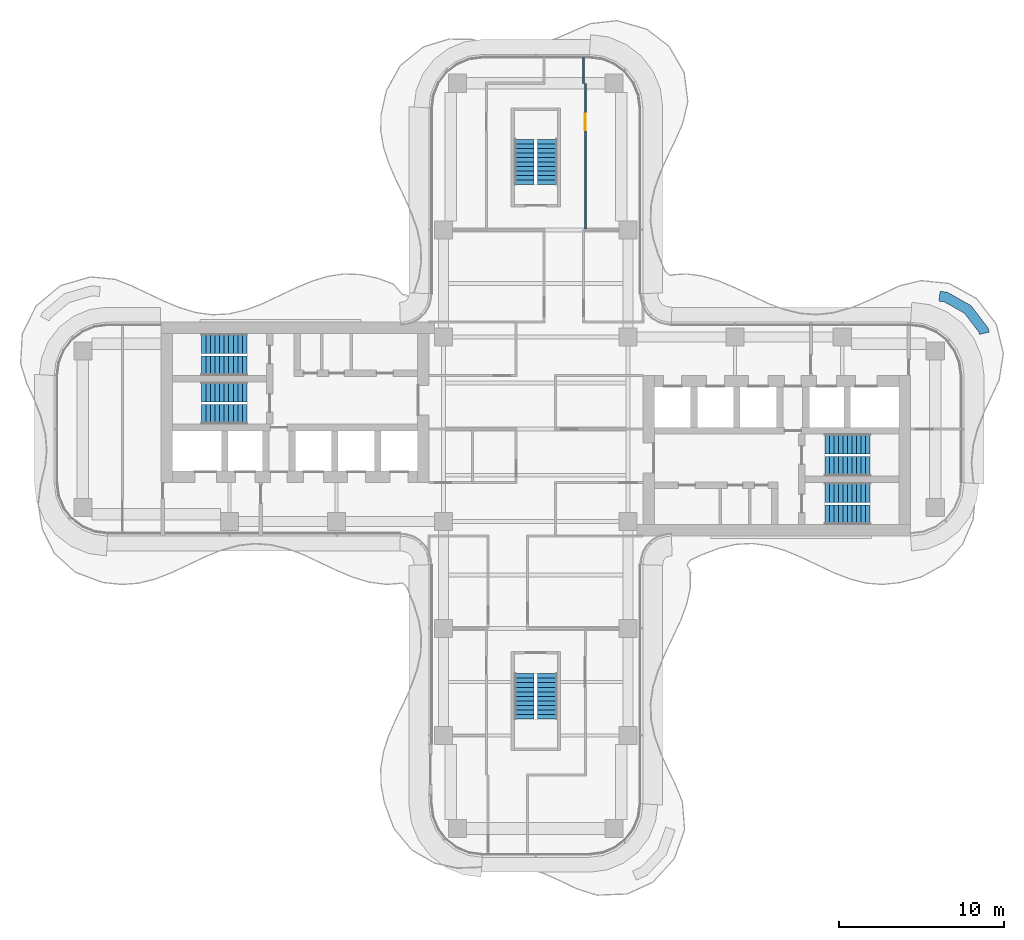
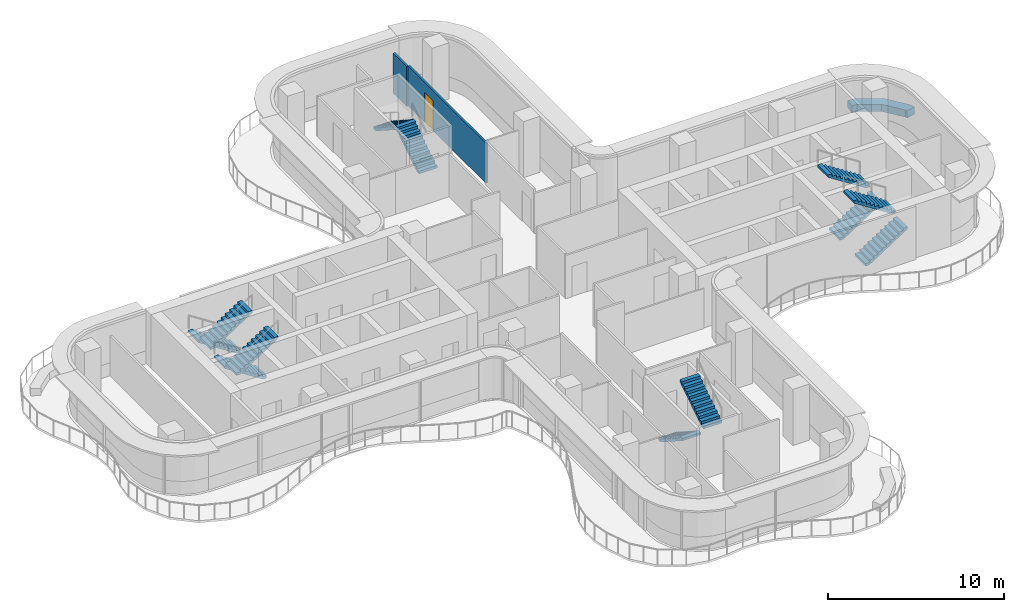
# One storey, part 15 of 17: 12 stair flights, 3 walls, 1 door, 1 opening, 6 elements without a shape of their own.
"""IFC4 building model written with IfcOpenShell, lengths in metres."""

from ifc_helpers import new_model, si_unit, direction, frame, frame_2d, origin, place, context, subcontext, project, spatial, polyline, rectangle, outline, extrude, source, transform, mapped, material, layer, layer_set, type_object, element, fill, aggregate, save


model = new_model("IFC4")

# Units and contexts
model_context = context("Model", 3, precision=1e-05, world=origin(), true_north=direction((0.0, 1.0)))
body_context = subcontext(model_context, "Body", "Model", "MODEL_VIEW")
ifc_project = project(units=[si_unit("LENGTHUNIT", "METRE"), si_unit("AREAUNIT", "SQUARE_METRE"), si_unit("VOLUMEUNIT", "CUBIC_METRE"), si_unit("PLANEANGLEUNIT", "RADIAN"), si_unit("MASSUNIT", "GRAM", prefix="KILO")], contexts=[model_context])

# Site, building, storey
site_placement = place(None, origin())
site = spatial("IfcSite", under=ifc_project, at=site_placement, CompositionType="ELEMENT")
building_placement = place(site_placement, origin())
building = spatial("IfcBuilding", under=site, at=building_placement, Name="Trellis Farm Tower", CompositionType="ELEMENT")
storey_placement = place(building_placement, frame((0.0, 0.0, 240.199951171875)))
storey = spatial("IfcBuildingStorey", under=building, at=storey_placement, Name="L53", CompositionType="ELEMENT", Elevation=240.199951171875)

# Walls
ifc_material_1 = material(Name="Sandstone faced masonry planter", Category="masonry")
ifc_layer_1 = layer(ifc_material_1, 0.60009765625)
ifc_layer_set_1 = layer_set([ifc_layer_1], Name="PLANTER BED 600")
wall_type_1 = type_object("IfcWallType", Name="PLANTER BED 600", PredefinedType="USERDEFINED", material=ifc_layer_set_1)
placement = place(storey_placement, origin())
element("IfcWall", 1, at=placement, inside=storey, type_object=wall_type_1, Name="PLANTER bed", ObjectType="PLANTER", PredefinedType="USERDEFINED", context=body_context, shape_type="SweptSolid", body=[
    extrude(outline(polyline([(26.418212890625, 7.5048828125), (27.460205078125, 6.146240234375), (27.522705078125, 5.886962890625), (26.939453125, 5.74658203125), (26.90673828125, 5.882080078125), (26.01708984375, 7.0419921875), (24.7880859375, 7.73193359375), (24.473876953125, 7.76806640625), (24.542236328125, 8.364013671875), (24.976318359375, 8.314453125), (26.418212890625, 7.5048828125)])), origin(), (0.0, 0.0, 1.0), 0.5),
])
ifc_material_2 = material(Name="Plasterboard on steel studs, mineral wool", Category="steel")
ifc_layer_2 = layer(ifc_material_2, 0.125)
ifc_layer_set_2 = layer_set([ifc_layer_2], Name="PARTITION 125 STUD EI 60")
wall_type_2 = type_object("IfcWallType", Name="PARTITION 125 STUD EI 60", PredefinedType="PARTITIONING", material=ifc_layer_set_2)
shared_shape_1 = source(origin(), body_context, "Body", "SweptSolid", [
    extrude(rectangle(XDim=1.550048828125, YDim=0.125, at=frame_2d((0.77490234375, 0.0))), origin(), (0.0, 0.0, 1.0), 2.780029296875),
])
wall_2_placement = place(storey_placement, frame((2.89990234375, 22.550048828125, 0.0), z_axis=(0.0, 0.0, 1.0), x_axis=(0.0, -1.0, 0.0)))
element("IfcWall", 2, at=wall_2_placement, inside=storey, type_object=wall_type_2, Name="Partition PW1", PredefinedType="PARTITIONING", context=body_context, shape_type="MappedRepresentation", body=[
    mapped(shared_shape_1, transform((0.0, 0.0, 0.0))),
])

# Wall, opening, door
shared_shape_2 = source(origin(), body_context, "Body", "SweptSolid", [
    extrude(rectangle(XDim=8.85009765625, YDim=0.125, at=frame_2d((4.425048828125, 0.0))), origin(), (0.0, 0.0, 1.0), 2.780029296875),
])
wall_3_placement = place(storey_placement, frame((3.0, 21.0, 0.0), z_axis=(0.0, 0.0, 1.0), x_axis=(0.0, -1.0, 0.0)))
wall_3 = element("IfcWall", 3, at=wall_3_placement, inside=storey, type_object=wall_type_2, Name="Partition PW1", PredefinedType="PARTITIONING", context=body_context, shape_type="MappedRepresentation", body=[
    mapped(shared_shape_2, transform((0.0, 0.0, 0.0))),
])
shared_shape_3 = source(origin(), body_context, "Body", "SweptSolid", [
    extrude(rectangle(XDim=1.0, YDim=2.10009765625, at=frame_2d((0.5, 1.050048828125))), frame((0.0, 0.072509765625, 0.0), z_axis=(0.0, -1.0, 0.0), x_axis=(1.0, 0.0, 0.0)), (0.0, 0.0, 1.0), 0.14501953125),
])
opening_placement = place(wall_3_placement, frame((1.85009765625, 0.0, 0.0)))
opening = element("IfcOpeningElement", 4, at=opening_placement, cuts=wall_3, Name="Opening D111", PredefinedType="OPENING", context=body_context, shape_type="MappedRepresentation", body=[
    mapped(shared_shape_3, transform((0.0, 0.0, 0.0))),
])
ifc_material_3 = material(Name="Fire-rated timber door leaf in a hollow metal frame", Category="wood")
door_type = type_object("IfcDoorType", Name="DOOR 1000x2100 FD30S", OperationType="NOTDEFINED", PredefinedType="DOOR", material=ifc_material_3)
shared_shape_4 = source(origin(), body_context, "Body", "SweptSolid", [
    extrude(rectangle(XDim=1.0, YDim=2.10009765625, at=frame_2d((0.5, 1.050048828125))), frame((0.0, 0.02490234375, 0.0), z_axis=(0.0, -1.0, 0.0), x_axis=(1.0, 0.0, 0.0)), (0.0, 0.0, 1.0), 0.050048828125),
])
door_placement = place(opening_placement, origin())
door = element("IfcDoor", 5, at=door_placement, inside=storey, type_object=door_type, Name="Door D111", OperationType="SINGLE_SWING_LEFT", OverallHeight=2.10009765625, OverallWidth=1.0, PredefinedType="DOOR", context=body_context, shape_type="MappedRepresentation", body=[
    mapped(shared_shape_4, transform((0.0, 0.0, 0.0))),
])
fill(opening, door)

# Stair, stair flights
ifc_material_4 = material(Name="Concrete C50/60", Category="concrete")
stair_type = type_object("IfcStairType", Name="CORE EXIT STAIR 22 RISERS 177 MM", PredefinedType="HALF_TURN_STAIR", material=ifc_material_4)
stair_1 = element("IfcStair", 6, at=placement, inside=storey, type_object=stair_type, Name="Exit stair N", PredefinedType="HALF_TURN_STAIR")
stair_flight_type = type_object("IfcStairFlightType", Name="STAIR FLIGHT 11 RISERS 177 MM", PredefinedType="STRAIGHT", material=ifc_material_4)
shared_shape_5 = source(origin(), body_context, "Body", "SweptSolid", [
    extrude(outline(polyline([(0.0, 0.0), (0.0, 0.17724609375), (0.27490234375, 0.17724609375), (0.27490234375, 0.3544921875), (0.550048828125, 0.3544921875), (0.550048828125, 0.53173828125), (0.824951171875, 0.53173828125), (0.824951171875, 0.708984375), (1.10009765625, 0.708984375), (1.10009765625, 0.886474609375), (1.375, 0.886474609375), (1.375, 1.063720703125), (1.64990234375, 1.063720703125), (1.64990234375, 1.240966796875), (1.925048828125, 1.240966796875), (1.925048828125, 1.418212890625), (2.199951171875, 1.418212890625), (2.199951171875, 1.595458984375), (2.47509765625, 1.595458984375), (2.47509765625, 1.772705078125), (2.75, 1.772705078125), (2.75, 1.949951171875), (2.75, 1.6181640625), (0.23974609375, 0.0), (0.0, 0.0)])), frame((0.0, 0.60009765625, 0.0), z_axis=(0.0, -1.0, 0.0), x_axis=(1.0, 0.0, 0.0)), (0.0, 0.0, 1.0), 1.199951171875),
])
stair_flight_1_placement = place(storey_placement, frame((0.699951171875, 14.85009765625, 0.0), z_axis=(0.0, 0.0, 1.0), x_axis=(0.0, 1.0, 0.0)))
stair_flight_1 = element("IfcStairFlight", 7, at=stair_flight_1_placement, type_object=stair_flight_type, Name="STN flight 1", NumberOfRisers=11, NumberOfTreads=10, PredefinedType="STRAIGHT", RiserHeight=0.177272727, TreadLength=0.275, context=body_context, shape_type="MappedRepresentation", body=[
    mapped(shared_shape_5, transform((0.0, 0.0, 0.0))),
])
stair_flight_2_placement = place(storey_placement, frame((-0.699951171875, 17.60009765625, 1.949951171875), z_axis=(0.0, 0.0, 1.0), x_axis=(0.0, -1.0, 0.0)))
stair_flight_2 = element("IfcStairFlight", 8, at=stair_flight_2_placement, type_object=stair_flight_type, Name="STN flight 2", NumberOfRisers=11, NumberOfTreads=10, PredefinedType="STRAIGHT", RiserHeight=0.177272727, TreadLength=0.275, context=body_context, shape_type="MappedRepresentation", body=[
    mapped(shared_shape_5, transform((0.0, 0.0, 0.0))),
])
aggregate(stair_1, [stair_flight_1, stair_flight_2])

stair_2 = element("IfcStair", 9, at=placement, inside=storey, type_object=stair_type, Name="Exit stair S", PredefinedType="HALF_TURN_STAIR")
stair_flight_3_placement = place(storey_placement, frame((-0.699951171875, -14.85009765625, 0.0), z_axis=(0.0, 0.0, 1.0), x_axis=(0.0, -1.0, 0.0)))
stair_flight_3 = element("IfcStairFlight", 10, at=stair_flight_3_placement, type_object=stair_flight_type, Name="STS flight 1", NumberOfRisers=11, NumberOfTreads=10, PredefinedType="STRAIGHT", RiserHeight=0.177272727, TreadLength=0.275, context=body_context, shape_type="MappedRepresentation", body=[
    mapped(shared_shape_5, transform((0.0, 0.0, 0.0))),
])
stair_flight_4_placement = place(storey_placement, frame((0.699951171875, -17.60009765625, 1.949951171875), z_axis=(0.0, 0.0, 1.0), x_axis=(0.0, 1.0, 0.0)))
stair_flight_4 = element("IfcStairFlight", 11, at=stair_flight_4_placement, type_object=stair_flight_type, Name="STS flight 2", NumberOfRisers=11, NumberOfTreads=10, PredefinedType="STRAIGHT", RiserHeight=0.177272727, TreadLength=0.275, context=body_context, shape_type="MappedRepresentation", body=[
    mapped(shared_shape_5, transform((0.0, 0.0, 0.0))),
])
aggregate(stair_2, [stair_flight_3, stair_flight_4])

stair_3 = element("IfcStair", 12, at=placement, inside=storey, type_object=stair_type, Name="Exit stair E1", PredefinedType="HALF_TURN_STAIR")
stair_flight_5_placement = place(storey_placement, frame((17.550048828125, -5.199951171875, 0.0), z_axis=(0.0, 0.0, 1.0), x_axis=(1.0, 0.0, 0.0)))
stair_flight_5 = element("IfcStairFlight", 13, at=stair_flight_5_placement, type_object=stair_flight_type, Name="STE1 flight 1", NumberOfRisers=11, NumberOfTreads=10, PredefinedType="STRAIGHT", RiserHeight=0.177272727, TreadLength=0.275, context=body_context, shape_type="MappedRepresentation", body=[
    mapped(shared_shape_5, transform((0.0, 0.0, 0.0))),
])
stair_flight_6_placement = place(storey_placement, frame((20.300048828125, -3.85009765625, 1.949951171875), z_axis=(0.0, 0.0, 1.0), x_axis=(-1.0, 0.0, 0.0)))
stair_flight_6 = element("IfcStairFlight", 14, at=stair_flight_6_placement, type_object=stair_flight_type, Name="STE1 flight 2", NumberOfRisers=11, NumberOfTreads=10, PredefinedType="STRAIGHT", RiserHeight=0.177272727, TreadLength=0.275, context=body_context, shape_type="MappedRepresentation", body=[
    mapped(shared_shape_5, transform((0.0, 0.0, 0.0))),
])
aggregate(stair_3, [stair_flight_5, stair_flight_6])

stair_4 = element("IfcStair", 15, at=placement, inside=storey, type_object=stair_type, Name="Exit stair E2", PredefinedType="HALF_TURN_STAIR")
stair_flight_7_placement = place(storey_placement, frame((17.550048828125, -2.25, 0.0), z_axis=(0.0, 0.0, 1.0), x_axis=(1.0, 0.0, 0.0)))
stair_flight_7 = element("IfcStairFlight", 16, at=stair_flight_7_placement, type_object=stair_flight_type, Name="STE2 flight 1", NumberOfRisers=11, NumberOfTreads=10, PredefinedType="STRAIGHT", RiserHeight=0.177272727, TreadLength=0.275, context=body_context, shape_type="MappedRepresentation", body=[
    mapped(shared_shape_5, transform((0.0, 0.0, 0.0))),
])
stair_flight_8_placement = place(storey_placement, frame((20.300048828125, -0.89990234375, 1.949951171875), z_axis=(0.0, 0.0, 1.0), x_axis=(-1.0, 0.0, 0.0)))
stair_flight_8 = element("IfcStairFlight", 17, at=stair_flight_8_placement, type_object=stair_flight_type, Name="STE2 flight 2", NumberOfRisers=11, NumberOfTreads=10, PredefinedType="STRAIGHT", RiserHeight=0.177272727, TreadLength=0.275, context=body_context, shape_type="MappedRepresentation", body=[
    mapped(shared_shape_5, transform((0.0, 0.0, 0.0))),
])
aggregate(stair_4, [stair_flight_7, stair_flight_8])

stair_5 = element("IfcStair", 18, at=placement, inside=storey, type_object=stair_type, Name="Exit stair W1", PredefinedType="HALF_TURN_STAIR")
stair_flight_9_placement = place(storey_placement, frame((-17.550048828125, 5.199951171875, 0.0), z_axis=(0.0, 0.0, 1.0), x_axis=(-1.0, 0.0, 0.0)))
stair_flight_9 = element("IfcStairFlight", 19, at=stair_flight_9_placement, type_object=stair_flight_type, Name="STW1 flight 1", NumberOfRisers=11, NumberOfTreads=10, PredefinedType="STRAIGHT", RiserHeight=0.177272727, TreadLength=0.275, context=body_context, shape_type="MappedRepresentation", body=[
    mapped(shared_shape_5, transform((0.0, 0.0, 0.0))),
])
stair_flight_10_placement = place(storey_placement, frame((-20.300048828125, 3.85009765625, 1.949951171875), z_axis=(0.0, 0.0, 1.0), x_axis=(1.0, 0.0, 0.0)))
stair_flight_10 = element("IfcStairFlight", 20, at=stair_flight_10_placement, type_object=stair_flight_type, Name="STW1 flight 2", NumberOfRisers=11, NumberOfTreads=10, PredefinedType="STRAIGHT", RiserHeight=0.177272727, TreadLength=0.275, context=body_context, shape_type="MappedRepresentation", body=[
    mapped(shared_shape_5, transform((0.0, 0.0, 0.0))),
])
aggregate(stair_5, [stair_flight_9, stair_flight_10])

stair_6 = element("IfcStair", 21, at=placement, inside=storey, type_object=stair_type, Name="Exit stair W2", PredefinedType="HALF_TURN_STAIR")
stair_flight_11_placement = place(storey_placement, frame((-17.550048828125, 2.25, 0.0), z_axis=(0.0, 0.0, 1.0), x_axis=(-1.0, 0.0, 0.0)))
stair_flight_11 = element("IfcStairFlight", 22, at=stair_flight_11_placement, type_object=stair_flight_type, Name="STW2 flight 1", NumberOfRisers=11, NumberOfTreads=10, PredefinedType="STRAIGHT", RiserHeight=0.177272727, TreadLength=0.275, context=body_context, shape_type="MappedRepresentation", body=[
    mapped(shared_shape_5, transform((0.0, 0.0, 0.0))),
])
stair_flight_12_placement = place(storey_placement, frame((-20.300048828125, 0.89990234375, 1.949951171875), z_axis=(0.0, 0.0, 1.0), x_axis=(1.0, 0.0, 0.0)))
stair_flight_12 = element("IfcStairFlight", 23, at=stair_flight_12_placement, type_object=stair_flight_type, Name="STW2 flight 2", NumberOfRisers=11, NumberOfTreads=10, PredefinedType="STRAIGHT", RiserHeight=0.177272727, TreadLength=0.275, context=body_context, shape_type="MappedRepresentation", body=[
    mapped(shared_shape_5, transform((0.0, 0.0, 0.0))),
])
aggregate(stair_6, [stair_flight_11, stair_flight_12])

save(model, "model.ifc")
